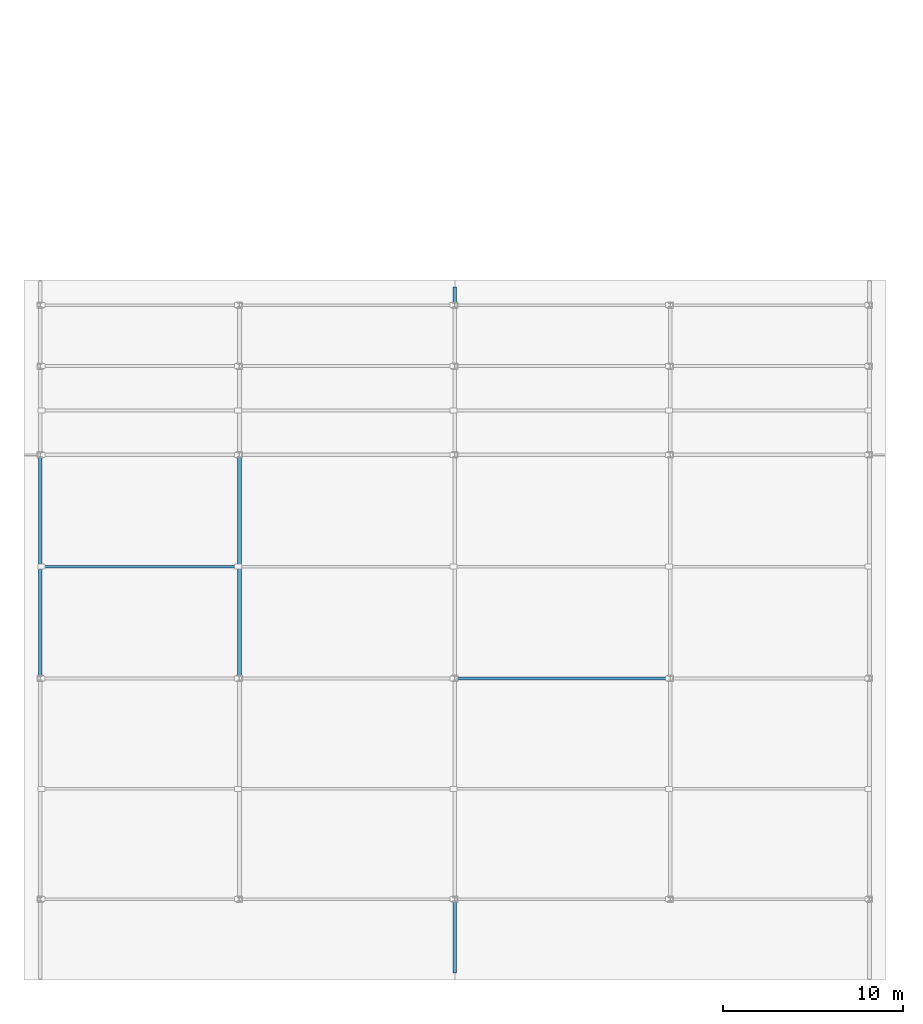
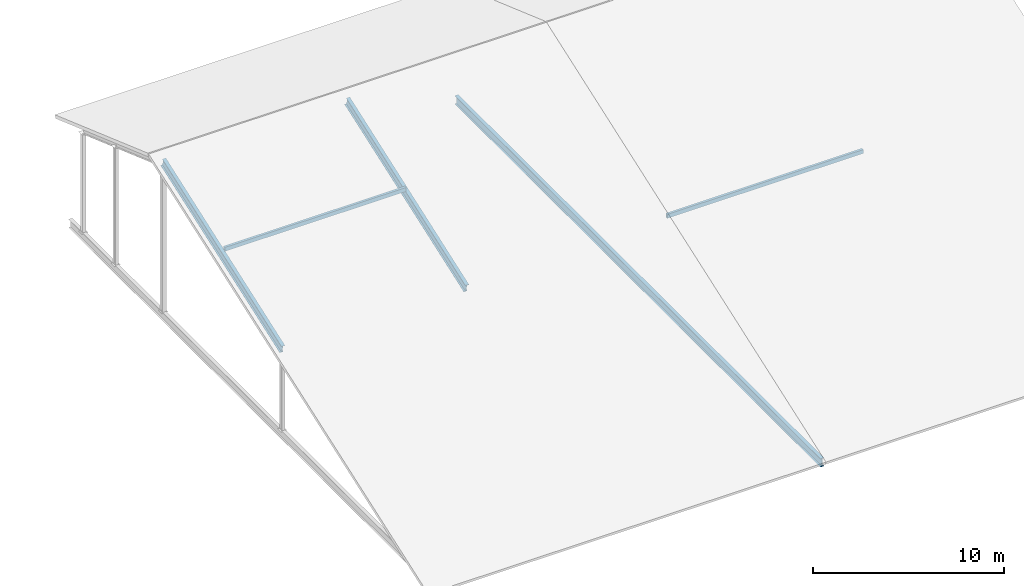
# One storey, part 4 of 42: 3 beams, 2 members.
"""IFC4 building model written with IfcOpenShell, lengths in metres."""

import ifcopenshell
import ifcopenshell.guid

model = None  # the IFC model being written
_history = None  # IfcOwnerHistory: only IFC2X3 demands one
_inside = {}  # id of a spatial element -> (the spatial element, [elements in it])
_under = {}  # id of a project, library or spatial element -> (it, [spatial elements below it])
_declared = {}  # id of a project -> (the project, [libraries it declares])
_typed = {}  # id of a type object -> (the type object, [elements of that type])
_made_of = {}  # id of a material, layer set ... -> (it, [elements and type objects made of it])


def new_model(schema):
    """Start an empty IFC model of exactly this schema.

    Asked for "IFC4X3", IfcOpenShell would pick the latest addendum, in which some entities
    have other attributes; the version numbers below select the first issue.
    IFC2X3 requires an IfcOwnerHistory on every rooted entity: one is made here for all.
    """
    global model, _history
    if schema == "IFC4X3":
        model = ifcopenshell.file(schema_version=(4, 3, 0, 0))
    else:
        model = ifcopenshell.file(schema=schema)
    _inside.clear()
    _under.clear()
    _declared.clear()
    _typed.clear()
    _made_of.clear()
    _history = None
    if model.schema == "IFC2X3":
        org = make("IfcOrganization", Name="unknown")
        user = make(
            "IfcPersonAndOrganization",
            ThePerson=make("IfcPerson", FamilyName="unknown"),
            TheOrganization=org,
        )
        app = make(
            "IfcApplication",
            ApplicationDeveloper=org,
            Version="unknown",
            ApplicationFullName="unknown",
            ApplicationIdentifier="unknown",
        )
        _history = make(
            "IfcOwnerHistory",
            OwningUser=user,
            OwningApplication=app,
            ChangeAction="ADDED",
            CreationDate=0,
        )
    return model


def make(cls, **values):
    """One entity of the class cls with the attributes given. An attribute that is None is left unset."""
    return model.create_entity(
        cls, **{name: value for name, value in values.items() if value is not None}
    )


def rooted(cls, **values):
    """An entity with a GlobalId (a new one), such as an element, a storey or a relation."""
    return make(cls, GlobalId=ifcopenshell.guid.new(), OwnerHistory=_history, **values)


def si_unit(unit_type, name, prefix=None):
    """IfcSIUnit, for example si_unit("LENGTHUNIT", "METRE", prefix="MILLI")."""
    return make("IfcSIUnit", UnitType=unit_type, Prefix=prefix, Name=name)


def assignment(units):
    """IfcUnitAssignment: the units of a project."""
    return None if units is None else make("IfcUnitAssignment", Units=units)


def point(xyz):
    """IfcCartesianPoint."""
    return None if xyz is None else make("IfcCartesianPoint", Coordinates=xyz)


def direction(xyz):
    """IfcDirection."""
    return None if xyz is None else make("IfcDirection", DirectionRatios=xyz)


def frame(location, z_axis=None, x_axis=None):
    """IfcAxis2Placement3D, a coordinate frame: its origin and axes. An axis left out is left unset."""
    return make(
        "IfcAxis2Placement3D",
        Location=point(location),
        Axis=direction(z_axis),
        RefDirection=direction(x_axis),
    )


def frame_2d(location, x_axis=None):
    """IfcAxis2Placement2D, a coordinate frame in the plane: its origin and x axis."""
    return make(
        "IfcAxis2Placement2D", Location=point(location), RefDirection=direction(x_axis)
    )


def origin():
    """The frame at (0, 0, 0) with its axes left unset."""
    return frame((0.0, 0.0, 0.0))


def origin_2d():
    """The frame at (0, 0) in the plane with its x axis left unset."""
    return frame_2d((0.0, 0.0))


def place(relative_to, where):
    """IfcLocalPlacement: puts the frame where relative to a parent placement (None: the world)."""
    return make(
        "IfcLocalPlacement", PlacementRelTo=relative_to, RelativePlacement=where
    )


def context(
    kind, dimensions, precision=None, world=None, true_north=None, identifier=None
):
    """IfcGeometricRepresentationContext, for example the 3D "Model" context."""
    return make(
        "IfcGeometricRepresentationContext",
        ContextIdentifier=identifier,
        ContextType=kind,
        CoordinateSpaceDimension=dimensions,
        Precision=precision,
        WorldCoordinateSystem=world,
        TrueNorth=true_north,
    )


def subcontext(parent, identifier, kind, view, scale=None):
    """IfcGeometricRepresentationSubContext, for example "Body" below "Model"."""
    return make(
        "IfcGeometricRepresentationSubContext",
        ContextIdentifier=identifier,
        ContextType=kind,
        ParentContext=parent,
        TargetScale=scale,
        TargetView=view,
    )


def project(units=None, contexts=None):
    """IfcProject with its units and contexts."""
    return rooted(
        "IfcProject",
        Name="project",
        RepresentationContexts=contexts,
        UnitsInContext=assignment(units),
    )


def spatial(cls, under=None, at=None, **own):
    """A site, building, storey or space (cls), placed at a placement, below another one or the project."""
    s = rooted(cls, ObjectPlacement=at, **own)
    if under is not None:
        _under.setdefault(under.id(), (under, []))[1].append(s)
    return s


def profile(cls, at=None, kind="AREA", **sizes):
    """A parametric profile (cls). Its sizes go by their IFC names, for example OverallWidth=200.0."""
    return make(cls, ProfileType=kind, Position=at, **sizes)


def hollow_rectangle(**sizes):
    """IfcRectangleHollowProfileDef."""
    return profile("IfcRectangleHollowProfileDef", **sizes)


def i_section(**sizes):
    """IfcIShapeProfileDef."""
    return profile("IfcIShapeProfileDef", **sizes)


def extrude(swept, where, along, depth):
    """IfcExtrudedAreaSolid: the profile swept, set in the frame where, extruded along a direction by depth."""
    return make(
        "IfcExtrudedAreaSolid",
        SweptArea=swept,
        Position=where,
        ExtrudedDirection=direction(along),
        Depth=depth,
    )


def shape(context_of_items, identifier, shape_type, items):
    """IfcShapeRepresentation: the items that make up one representation, for example the "Body"."""
    return make(
        "IfcShapeRepresentation",
        ContextOfItems=context_of_items,
        RepresentationIdentifier=identifier,
        RepresentationType=shape_type,
        Items=items,
    )


def material(Name=None, Category=None):
    """IfcMaterial."""
    return make("IfcMaterial", Name=Name, Category=Category)


def material_profile(
    of_material, cross_section, Name=None, Category=None, Priority=None
):
    """IfcMaterialProfile: a cross section and its material."""
    return make(
        "IfcMaterialProfile",
        Name=Name,
        Material=of_material,
        Profile=cross_section,
        Priority=Priority,
        Category=Category,
    )


def profile_set(profiles, Name=None, composite=None):
    """IfcMaterialProfileSet."""
    return make(
        "IfcMaterialProfileSet",
        Name=Name,
        MaterialProfiles=profiles,
        CompositeProfile=composite,
    )


def made_of(thing, what):
    """Note that an element or type object is made of a material, layer set ...; save() writes the relation."""
    if what is not None:
        _made_of.setdefault(what.id(), (what, []))[1].append(thing)
    return thing


def type_object(cls, material=None, **own):
    """A type object (cls), such as IfcWallType, which elements share."""
    return made_of(rooted(cls, **own), material)


def element(
    cls,
    number,
    at=None,
    inside=None,
    cuts=None,
    type_object=None,
    material=None,
    context=None,
    identifier="Body",
    shape_type=None,
    held_by="IfcProductDefinitionShape",
    body=None,
    shapes=None,
    **own,
):
    """One element of the class cls, such as IfcWall. Its Tag is "e" and its number.

    at: its placement. inside: the storey or other place that contains it. cuts: it is an
    opening in that element (IfcRelVoidsElement). A single representation is given by context,
    identifier, shape_type and body (its items); several are given by shapes. held_by: the class
    of the entity that holds the representations. save() writes the other relations.
    """
    e = rooted(cls, Tag="e%d" % number, ObjectPlacement=at, **own)
    if body is not None:
        shapes = [shape(context, identifier, shape_type, body)]
    if shapes is not None:
        e.Representation = make(held_by, Representations=shapes)
    if inside is not None:
        _inside.setdefault(inside.id(), (inside, []))[1].append(e)
    if cuts is not None:
        rooted(
            "IfcRelVoidsElement", RelatingBuildingElement=cuts, RelatedOpeningElement=e
        )
    if type_object is not None:
        _typed.setdefault(type_object.id(), (type_object, []))[1].append(e)
    return made_of(e, material)


def aggregate(whole, parts):
    """IfcRelAggregates: a whole, such as a stair, and the parts it consists of."""
    return rooted("IfcRelAggregates", RelatingObject=whole, RelatedObjects=parts)


def save(model, path):
    """Write the relations noted so far, then the file.

    IfcRelAggregates (storeys below a building ...), IfcRelContainedInSpatialStructure (elements
    in a storey), IfcRelDefinesByType, IfcRelAssociatesMaterial and IfcRelDeclares: one each for
    every whole, place, type object, material and project.
    """
    for whole, parts in _under.values():
        aggregate(whole, parts)
    for where, things in _inside.values():
        rooted(
            "IfcRelContainedInSpatialStructure",
            RelatedElements=things,
            RelatingStructure=where,
        )
    for kind, things in _typed.values():
        rooted("IfcRelDefinesByType", RelatedObjects=things, RelatingType=kind)
    for what, things in _made_of.values():
        rooted("IfcRelAssociatesMaterial", RelatedObjects=things, RelatingMaterial=what)
    for by, libraries in _declared.values():
        rooted("IfcRelDeclares", RelatingContext=by, RelatedDefinitions=libraries)
    model.write(path)


model = new_model("IFC4")

# Units and contexts
model_context = context("Model", 3, precision=1e-05, world=origin(), true_north=direction((0.0, 1.0)))
body_context = subcontext(model_context, "Body", "Model", "MODEL_VIEW")
ifc_project = project(units=[si_unit("LENGTHUNIT", "METRE"), si_unit("AREAUNIT", "SQUARE_METRE"), si_unit("VOLUMEUNIT", "CUBIC_METRE"), si_unit("PLANEANGLEUNIT", "RADIAN"), si_unit("MASSUNIT", "GRAM", prefix="KILO")], contexts=[model_context])

# Site, building, storey
site_placement = place(None, origin())
site = spatial("IfcSite", under=ifc_project, at=site_placement, CompositionType="ELEMENT")
building_placement = place(site_placement, origin())
building = spatial("IfcBuilding", under=site, at=building_placement, Name="Kelmvaro Bay Concert Hall", CompositionType="ELEMENT")
storey_placement = place(building_placement, frame((0.0, 0.0, 26.699951171875)))
storey = spatial("IfcBuildingStorey", under=building, at=storey_placement, Name="RF", CompositionType="ELEMENT", Elevation=26.699951171875)

# Members
ifc_material_1 = material(Name="Steel ASTM A500 Grade C", Category="steel")
ifc_material_profile_1 = material_profile(ifc_material_1, hollow_rectangle(XDim=0.14990234375, YDim=0.25, WallThickness=0.010009765625, at=origin_2d()), Name="HSS250X150X10")
ifc_profile_set_1 = profile_set([ifc_material_profile_1], Name="Steel ASTM A500 Grade C")
member_type = type_object("IfcMemberType", Name="Crystal Roof Mid Purlin HSS250x150x10", PredefinedType="PURLIN", material=ifc_profile_set_1)
member_1_placement = place(storey_placement, frame((24.0849609375, 16.800048828125, -7.402587890625), z_axis=(1.0, 0.0, 0.0), x_axis=(0.0, 1.0, 0.0)))
element("IfcMember", 1, at=member_1_placement, inside=storey, type_object=member_type, Name="V3 Crystal Roof Purlin 011", PredefinedType="PURLIN", context=body_context, shape_type="SweptSolid", body=[
    extrude(hollow_rectangle(XDim=0.14990234375, YDim=0.25, WallThickness=0.010009765625, at=origin_2d()), origin(), (0.0, 0.0, 1.0), 11.830078125),
])
member_2_placement = place(storey_placement, frame((0.985107421875, 23.02490234375, -5.1982421875), z_axis=(1.0, 0.0, 0.0), x_axis=(0.0, 1.0, 0.0)))
element("IfcMember", 2, at=member_2_placement, inside=storey, type_object=member_type, Name="V3 Crystal Roof Purlin 013", PredefinedType="PURLIN", context=body_context, shape_type="SweptSolid", body=[
    extrude(hollow_rectangle(XDim=0.14990234375, YDim=0.25, WallThickness=0.010009765625, at=origin_2d()), origin(), (0.0, 0.0, 1.0), 10.929931640625),
])

# Beams
ifc_material_2 = material(Name="Steel ASTM A992 Grade 50", Category="steel")
ifc_material_profile_2 = material_profile(ifc_material_2, i_section(OverallWidth=0.2119140625, OverallDepth=0.5439453125, WebThickness=0.01318359375, FlangeThickness=0.021240234375, at=origin_2d()), Name="W21X83")
ifc_profile_set_2 = profile_set([ifc_material_profile_2], Name="Steel ASTM A992 Grade 50")
beam_type_1 = type_object("IfcBeamType", Name="Crystal Roof Sloped Rafter W21x83", PredefinedType="BEAM", material=ifc_profile_set_2)
for number, where, z_axis, x_axis, name in (
    (3, (0.89990234375, 16.800048828125, -7.795654296875), (0.0, 0.942637283425, 0.33381874108), (-1.0, 0.0, 0.0), "V3 Crystal Roof Rafter 003"),
    (4, (12.0, 16.800048828125, -7.795654296875), (0.0, 0.942637283425, 0.33381874108), (-1.0, 0.0, 0.0), "V3 Crystal Roof Rafter 007"),
):
    element("IfcBeam", number, at=place(storey_placement, frame(where, z_axis=z_axis, x_axis=x_axis)), inside=storey, type_object=beam_type_1, Name=name, PredefinedType="BEAM", context=body_context, shape_type="SweptSolid", body=[
        extrude(i_section(OverallWidth=0.2119140625, OverallDepth=0.5439453125, WebThickness=0.01318359375, FlangeThickness=0.021240234375, at=origin_2d()), origin(), (0.0, 0.0, 1.0), 13.20751953125),
    ])
ifc_material_3 = material(Name="Steel ASTM A992 Grade 50", Category="steel")
ifc_material_profile_3 = material_profile(ifc_material_3, i_section(OverallWidth=0.2099609375, OverallDepth=0.535888671875, WebThickness=0.010986328125, FlangeThickness=0.017333984375, at=origin_2d()), Name="W21X68")
ifc_profile_set_3 = profile_set([ifc_material_profile_3], Name="Steel ASTM A992 Grade 50")
beam_type_2 = type_object("IfcBeamType", Name="Crystal Roof Tie Girder W21x68", PredefinedType="BEAM", material=ifc_profile_set_3)
beam_placement = place(storey_placement, frame((24.0, 0.39990234375, -13.16796875), z_axis=(0.0, 1.0, 0.0), x_axis=(-1.0, 0.0, 0.0)))
element("IfcBeam", 5, at=beam_placement, inside=storey, type_object=beam_type_2, Name="V3 Crystal Roof Tie Girder 010", PredefinedType="BEAM", context=body_context, shape_type="SweptSolid", body=[
    extrude(i_section(OverallWidth=0.2099609375, OverallDepth=0.535888671875, WebThickness=0.010986328125, FlangeThickness=0.017333984375, at=origin_2d()), origin(), (0.0, 0.0, 1.0), 38.2001953125),
])

save(model, "model.ifc")
